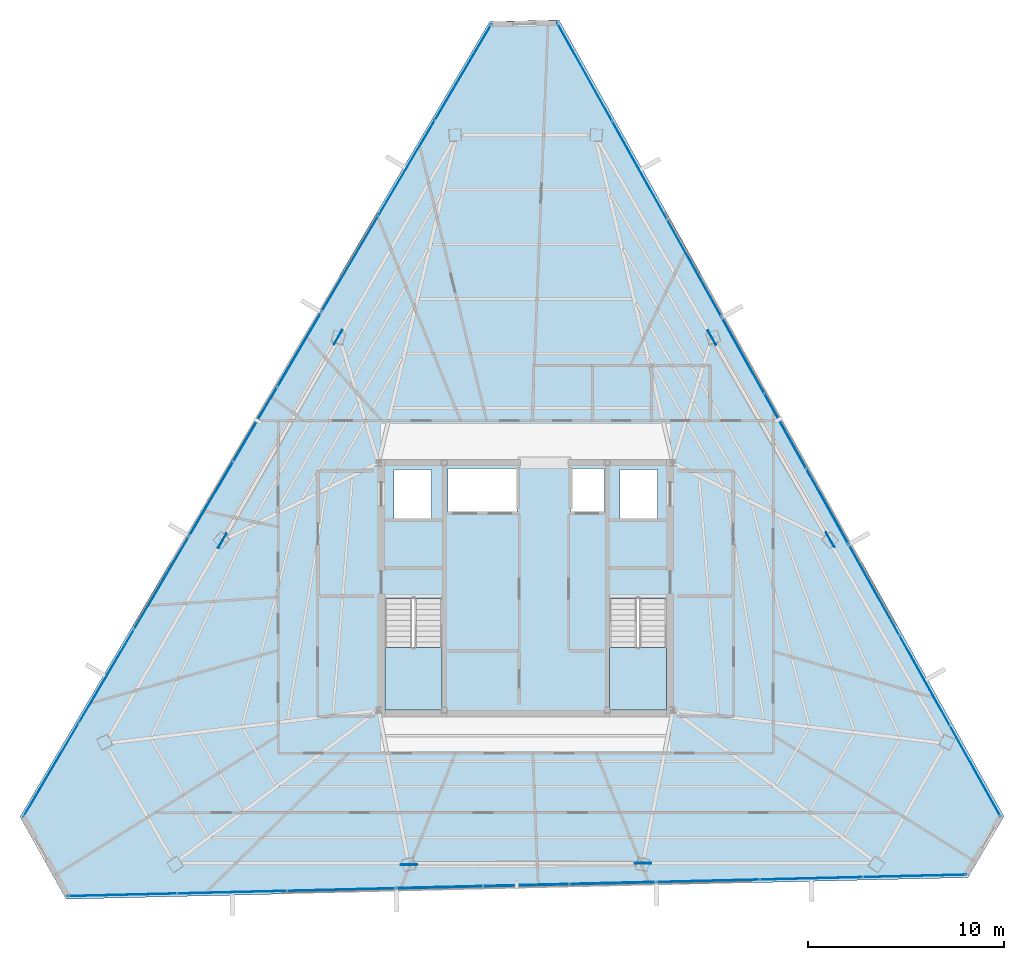
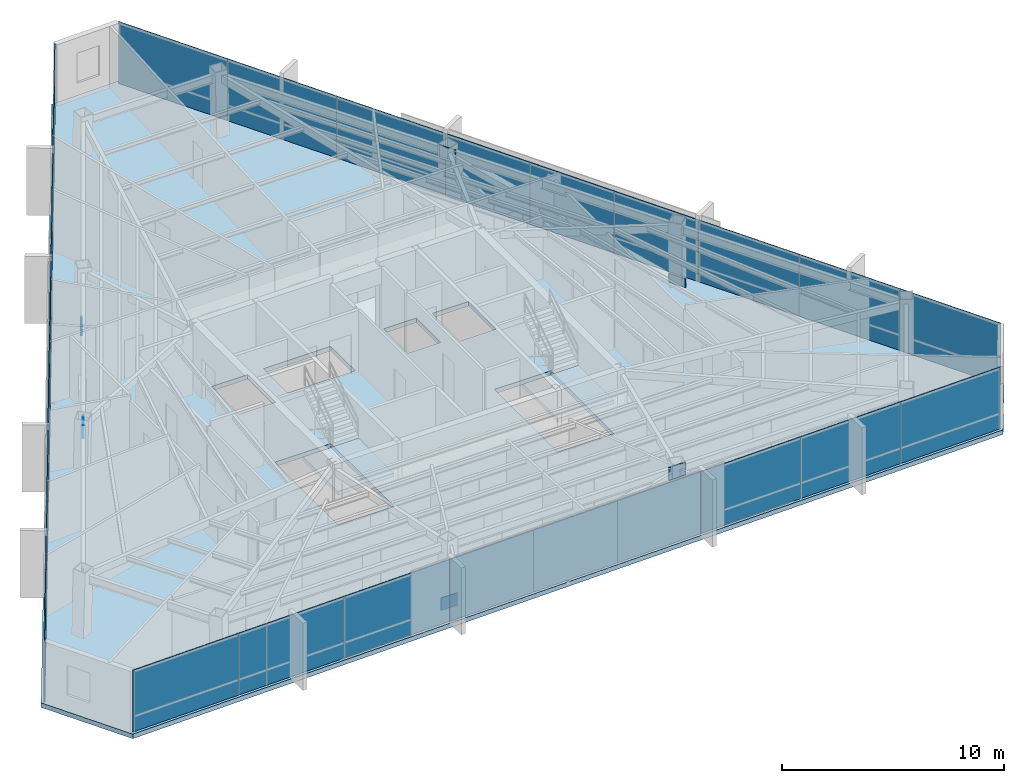
# One storey, part 38 of 45: 33 plates, 3 slabs, 11 elements without a shape of their own.
"""IFC4 building model written with IfcOpenShell, lengths in metres."""

from ifc_helpers import new_model, si_unit, direction, frame, origin, origin_2d, place, context, subcontext, project, spatial, polyline, rectangle, outline, extrude, source, transform, mapped, material, layer, layer_set, type_object, type_shapes, element, aggregate, save


model = new_model("IFC4")

# Units and contexts
model_context = context("Model", 3, precision=1e-05, world=origin(), true_north=direction((0.0, 1.0)))
body_context = subcontext(model_context, "Body", "Model", "MODEL_VIEW")
ifc_project = project(units=[si_unit("LENGTHUNIT", "METRE"), si_unit("AREAUNIT", "SQUARE_METRE"), si_unit("VOLUMEUNIT", "CUBIC_METRE"), si_unit("PLANEANGLEUNIT", "RADIAN"), si_unit("MASSUNIT", "GRAM", prefix="KILO")], contexts=[model_context])

# Site, building, storey
site_placement = place(None, origin())
site = spatial("IfcSite", under=ifc_project, at=site_placement, CompositionType="ELEMENT")
building_placement = place(site_placement, origin())
building = spatial("IfcBuilding", under=site, at=building_placement, Name="Caelisora Broadcast Tower", CompositionType="ELEMENT")
storey_placement = place(building_placement, frame((0.0, 0.0, 266.35009765625)))
storey = spatial("IfcBuildingStorey", under=building, at=storey_placement, Name="L70", CompositionType="ELEMENT", Elevation=266.35009765625)

# Slab
ifc_material_1 = material(Name="Concrete 40 MPa (AS 3600 N40)", Category="concrete")
ifc_layer_1 = layer(ifc_material_1, 0.25, Name="Concrete 40 MPa (AS 3600 N40)")
ifc_layer_set_1 = layer_set([ifc_layer_1], Name="Concrete 40 MPa (AS 3600 N40)")
slab_type_1 = type_object("IfcSlabType", Name="SL04", PredefinedType="FLOOR", material=ifc_layer_set_1)
slab_1_placement = place(storey_placement, frame((0.0, 0.0, -0.25)))
element("IfcSlab", 1, at=slab_1_placement, inside=storey, type_object=slab_type_1, Name="L70 suspended floor SL04", PredefinedType="FLOOR", context=body_context, shape_type="SweptSolid", body=[
    extrude(outline(polyline([(39.693115234375, 52.552978515625), (36.159912109375, 52.468994140625), (12.241943359375, 11.970947265625), (14.5869140625, 7.77490234375), (60.52001953125, 8.873046875), (62.360107421875, 11.989013671875), (39.693115234375, 52.552978515625)]), holes=[polyline([(30.820068359375, 17.39990234375), (33.739990234375, 17.39990234375), (33.739990234375, 23.080078125), (30.820068359375, 23.080078125), (30.820068359375, 17.39990234375)]), polyline([(42.260009765625, 17.39990234375), (45.179931640625, 17.39990234375), (45.179931640625, 23.080078125), (42.260009765625, 23.080078125), (42.260009765625, 17.39990234375)]), polyline([(42.800048828125, 27.14990234375), (44.699951171875, 27.14990234375), (44.699951171875, 29.64990234375), (42.800048828125, 29.64990234375), (42.800048828125, 27.14990234375)]), polyline([(40.300048828125, 27.5), (42.0, 27.5), (42.0, 29.699951171875), (40.300048828125, 29.699951171875), (40.300048828125, 27.5)]), polyline([(34.050048828125, 27.5), (37.550048828125, 27.5), (37.550048828125, 29.699951171875), (34.050048828125, 29.699951171875), (34.050048828125, 27.5)]), polyline([(31.300048828125, 27.14990234375), (33.199951171875, 27.14990234375), (33.199951171875, 29.64990234375), (31.300048828125, 29.64990234375), (31.300048828125, 27.14990234375)])]), origin(), (0.0, 0.0, 1.0), 0.25),
])

# Stair, slab
stair_type_1 = type_object("IfcStairType", Name="ST-1", PredefinedType="HALF_TURN_STAIR", material=ifc_material_1)
stair_1_placement = place(storey_placement, origin())
stair_1 = element("IfcStair", 2, at=stair_1_placement, inside=storey, type_object=stair_type_1, Name="L70 West Fire-Isolated Tower Stair", PredefinedType="HALF_TURN_STAIR")
ifc_layer_2 = layer(ifc_material_1, 0.199951171875, Name="Concrete 40 MPa (AS 3600 N40)")
ifc_layer_set_2 = layer_set([ifc_layer_2], Name="Concrete 40 MPa (AS 3600 N40)")
slab_type_2 = type_object("IfcSlabType", Name="STL-1", PredefinedType="LANDING", material=ifc_layer_set_2)
slab_2_placement = place(storey_placement, frame((0.0, 0.0, 1.625)))
slab_2 = element("IfcSlab", 3, at=slab_2_placement, type_object=slab_type_2, Name="ST-1 landing 1", PredefinedType="LANDING", context=body_context, shape_type="SweptSolid", body=[
    extrude(outline(polyline([(30.820068359375, 20.580078125), (30.820068359375, 17.39990234375), (33.739990234375, 17.39990234375), (33.739990234375, 20.580078125), (30.820068359375, 20.580078125)])), origin(), (0.0, 0.0, 1.0), 0.199951171875),
])
aggregate(stair_1, [slab_2])

stair_type_2 = type_object("IfcStairType", Name="ST-2", PredefinedType="HALF_TURN_STAIR", material=ifc_material_1)
stair_2_placement = place(storey_placement, origin())
stair_2 = element("IfcStair", 4, at=stair_2_placement, inside=storey, type_object=stair_type_2, Name="L70 East Fire-Isolated Tower Stair", PredefinedType="HALF_TURN_STAIR")
slab_3_placement = place(storey_placement, frame((0.0, 0.0, 1.625)))
slab_3 = element("IfcSlab", 5, at=slab_3_placement, type_object=slab_type_2, Name="ST-2 landing 1", PredefinedType="LANDING", context=body_context, shape_type="SweptSolid", body=[
    extrude(outline(polyline([(42.260009765625, 20.580078125), (42.260009765625, 17.39990234375), (45.179931640625, 17.39990234375), (45.179931640625, 20.580078125), (42.260009765625, 20.580078125)])), origin(), (0.0, 0.0, 1.0), 0.199951171875),
])
aggregate(stair_2, [slab_3])

# Plates
ifc_material_2 = material(Name="Steel Grade 350 L15 (AS/NZS 3678)", Category="steel")
ifc_layer_3 = layer(ifc_material_2, 0.0400390625, Name="Steel Grade 350 L15 (AS/NZS 3678)")
ifc_layer_set_3 = layer_set([ifc_layer_3], Name="Steel Grade 350 L15 (AS/NZS 3678)")
plate_type_1 = type_object("IfcPlateType", Name="GP04", PredefinedType="USERDEFINED", material=ifc_layer_set_3)
shared_shape_1 = source(origin(), body_context, "Body", "SweptSolid", [
    extrude(rectangle(XDim=0.85009765625, YDim=0.0400390625, at=origin_2d()), origin(), (0.0, 0.0, 1.0), 0.699951171875),
])
type_shapes(plate_type_1, [shared_shape_1])
for number, where, z_axis, x_axis, name in (
    (6, (28.4423828125, 36.3876953125, -0.22998046875), (0.0, 0.0, 1.0), (-0.5, -0.866025403784, 0.0), "L70 gusset plate GP04 (ND-L70-C02B)"),
    (7, (22.547607421875, 26.032958984375, 2.72998046875), (0.0, 0.0, 1.0), (-0.5, -0.866025403784, 0.0), "L70 gusset plate GP04 (ND-L70-C03T)"),
    (8, (32.05078125, 9.529052734375, -0.22998046875), (0.0, 0.0, 1.0), (1.0, 0.0, 0.0), "L70 gusset plate GP04 (ND-L70-C06B)"),
    (9, (43.9658203125, 9.601318359375, 2.72998046875), (0.0, 0.0, 1.0), (1.0, 0.0, 0.0), "L70 gusset plate GP04 (ND-L70-C07T)"),
    (10, (53.5068359375, 26.083251953125, -0.22998046875), (0.0, 0.0, 1.0), (-0.5, 0.866025403784, 0.0), "L70 gusset plate GP04 (ND-L70-C10B)"),
    (11, (47.48681640625, 36.36572265625, 2.72998046875), (0.0, 0.0, 1.0), (-0.5, 0.866025403784, 0.0), "L70 gusset plate GP04 (ND-L70-C11T)"),
):
    element("IfcPlate", number, at=place(storey_placement, frame(where, z_axis=z_axis, x_axis=x_axis)), inside=storey, type_object=plate_type_1, Name=name, ObjectType="GUSSET PLATE", PredefinedType="USERDEFINED", context=body_context, shape_type="MappedRepresentation", body=[
        mapped(shared_shape_1, transform((0.0, 0.0, 0.0), scale=1.0)),
    ])

# Curtain wall, plates
ifc_material_3 = material(Name="Unitised Aluminium and Low-E Glass Curtain Wall", Category="glass")
curtain_wall_type_1 = type_object("IfcCurtainWallType", Name="CW-Z5", PredefinedType="NOTDEFINED", material=ifc_material_3)
curtain_wall_1_placement = place(storey_placement, origin())
curtain_wall_1 = element("IfcCurtainWall", 12, at=curtain_wall_1_placement, inside=storey, type_object=curtain_wall_type_1, Name="L70 curtain wall CW-Z5", PredefinedType="NOTDEFINED")
ifc_material_4 = material(Name="Double Glazed Low-E Argon IGU", Category="glass")
ifc_layer_4 = layer(ifc_material_4, 0.028076171875, Name="Double Glazed Low-E Argon IGU")
ifc_layer_set_4 = layer_set([ifc_layer_4], Name="Double Glazed Low-E Argon IGU")
plate_type_2 = type_object("IfcPlateType", Name="CWP-06", PredefinedType="CURTAIN_PANEL", material=ifc_layer_set_4)
shared_shape_2 = source(origin(), body_context, "Body", "SweptSolid", [
    extrude(rectangle(XDim=5.725830078125, YDim=0.028076171875, at=origin_2d()), origin(), (0.0, 0.0, 1.0), 3.39990234375),
])
plate_1_placement = place(storey_placement, frame((41.002685546875, 49.90185546875, 0.0), z_axis=(0.0, 0.0, 1.0), x_axis=(0.487859659139, -0.87292207727, 0.0)))
plate_1 = element("IfcPlate", 13, at=plate_1_placement, type_object=plate_type_2, Name="L70-CW-B01 glazed panel #1", PredefinedType="CURTAIN_PANEL", context=body_context, shape_type="MappedRepresentation", body=[
    mapped(shared_shape_2, transform((0.0, 0.0, 0.0), scale=1.0)),
])
plate_2_placement = place(storey_placement, frame((43.795654296875, 44.9033203125, 0.0), z_axis=(0.0, 0.0, 1.0), x_axis=(0.487859659139, -0.87292207727, 0.0)))
plate_2 = element("IfcPlate", 14, at=plate_2_placement, type_object=plate_type_2, Name="L70-CW-B01 glazed panel #2", PredefinedType="CURTAIN_PANEL", context=body_context, shape_type="MappedRepresentation", body=[
    mapped(shared_shape_2, transform((0.0, 0.0, 0.0), scale=1.0)),
])
plate_3_placement = place(storey_placement, frame((46.5888671875, 39.90478515625, 0.0), z_axis=(0.0, 0.0, 1.0), x_axis=(0.487859659139, -0.87292207727, 0.0)))
plate_3 = element("IfcPlate", 15, at=plate_3_placement, type_object=plate_type_2, Name="L70-CW-B01 glazed panel #3", PredefinedType="CURTAIN_PANEL", context=body_context, shape_type="MappedRepresentation", body=[
    mapped(shared_shape_2, transform((0.0, 0.0, 0.0), scale=1.0)),
])
aggregate(curtain_wall_1, [plate_1, plate_2, plate_3])

ifc_material_5 = material(Name="Unitised Aluminium Insulated Shadow-Box Spandrel Curtain Wall", Category="aluminium")
curtain_wall_type_2 = type_object("IfcCurtainWallType", Name="CW-SP3", PredefinedType="NOTDEFINED", material=ifc_material_5)
curtain_wall_2_placement = place(storey_placement, origin())
curtain_wall_2 = element("IfcCurtainWall", 16, at=curtain_wall_2_placement, inside=storey, type_object=curtain_wall_type_2, Name="L70 curtain wall CW-SP3", PredefinedType="NOTDEFINED")
ifc_material_6 = material(Name="Insulated Terracotta Shadow-Box Spandrel Panel", Category="aluminium")
ifc_layer_5 = layer(ifc_material_6, 0.0439453125, Name="Insulated Terracotta Shadow-Box Spandrel Panel")
ifc_layer_set_5 = layer_set([ifc_layer_5], Name="Insulated Terracotta Shadow-Box Spandrel Panel")
plate_type_3 = type_object("IfcPlateType", Name="CWP-10", PredefinedType="CURTAIN_PANEL", material=ifc_layer_set_5)
shared_shape_3 = source(origin(), body_context, "Body", "SweptSolid", [
    extrude(rectangle(XDim=4.41259765625, YDim=0.0439453125, at=origin_2d()), origin(), (0.0, 0.0, 1.0), 3.39990234375),
])
plate_4_placement = place(storey_placement, frame((49.06640625, 35.470947265625, 0.0), z_axis=(0.0, 0.0, 1.0), x_axis=(0.487859659139, -0.87292207727, 0.0)))
plate_4 = element("IfcPlate", 17, at=plate_4_placement, type_object=plate_type_3, Name="L70-CW-B02 spandrel panel #1", PredefinedType="CURTAIN_PANEL", context=body_context, shape_type="MappedRepresentation", body=[
    mapped(shared_shape_3, transform((0.0, 0.0, 0.0), scale=1.0)),
])
plate_5_placement = place(storey_placement, frame((51.21875, 31.619140625, 0.0), z_axis=(0.0, 0.0, 1.0), x_axis=(0.487859659139, -0.87292207727, 0.0)))
plate_5 = element("IfcPlate", 18, at=plate_5_placement, type_object=plate_type_3, Name="L70-CW-B02 spandrel panel #2", PredefinedType="CURTAIN_PANEL", context=body_context, shape_type="MappedRepresentation", body=[
    mapped(shared_shape_3, transform((0.0, 0.0, 0.0), scale=1.0)),
])
plate_6_placement = place(storey_placement, frame((53.37109375, 27.767333984375, 0.0), z_axis=(0.0, 0.0, 1.0), x_axis=(0.487859659139, -0.87292207727, 0.0)))
plate_6 = element("IfcPlate", 19, at=plate_6_placement, type_object=plate_type_3, Name="L70-CW-B02 spandrel panel #3", PredefinedType="CURTAIN_PANEL", context=body_context, shape_type="MappedRepresentation", body=[
    mapped(shared_shape_3, transform((0.0, 0.0, 0.0), scale=1.0)),
])
aggregate(curtain_wall_2, [plate_4, plate_5, plate_6])

curtain_wall_3_placement = place(storey_placement, origin())
curtain_wall_3 = element("IfcCurtainWall", 20, at=curtain_wall_3_placement, inside=storey, type_object=curtain_wall_type_2, Name="L70 curtain wall CW-SP3", PredefinedType="NOTDEFINED")
plate_7_placement = place(storey_placement, frame((21.982666015625, 28.1689453125, 0.0), z_axis=(0.0, 0.0, 1.0), x_axis=(0.508590662521, 0.861008442465, 0.0)))
plate_7 = element("IfcPlate", 21, at=plate_7_placement, type_object=plate_type_3, Name="L70-CW-B10 spandrel panel #1", PredefinedType="CURTAIN_PANEL", context=body_context, shape_type="MappedRepresentation", body=[
    mapped(shared_shape_3, transform((0.0, 0.0, 0.0), scale=1.0)),
])
plate_8_placement = place(storey_placement, frame((24.226806640625, 31.968505859375, 0.0), z_axis=(0.0, 0.0, 1.0), x_axis=(0.508590662521, 0.861008442465, 0.0)))
plate_8 = element("IfcPlate", 22, at=plate_8_placement, type_object=plate_type_3, Name="L70-CW-B10 spandrel panel #2", PredefinedType="CURTAIN_PANEL", context=body_context, shape_type="MappedRepresentation", body=[
    mapped(shared_shape_3, transform((0.0, 0.0, 0.0), scale=1.0)),
])
plate_9_placement = place(storey_placement, frame((26.470703125, 35.767822265625, 0.0), z_axis=(0.0, 0.0, 1.0), x_axis=(0.508590662521, 0.861008442465, 0.0)))
plate_9 = element("IfcPlate", 23, at=plate_9_placement, type_object=plate_type_3, Name="L70-CW-B10 spandrel panel #3", PredefinedType="CURTAIN_PANEL", context=body_context, shape_type="MappedRepresentation", body=[
    mapped(shared_shape_3, transform((0.0, 0.0, 0.0), scale=1.0)),
])
aggregate(curtain_wall_3, [plate_7, plate_8, plate_9])

curtain_wall_4_placement = place(storey_placement, origin())
curtain_wall_4 = element("IfcCurtainWall", 24, at=curtain_wall_4_placement, inside=storey, type_object=curtain_wall_type_1, Name="L70 curtain wall CW-Z5", PredefinedType="NOTDEFINED")
shared_shape_4 = source(origin(), body_context, "Body", "SweptSolid", [
    extrude(rectangle(XDim=5.285400390625, YDim=0.028076171875, at=origin_2d()), origin(), (0.0, 0.0, 1.0), 3.39990234375),
])
plate_10_placement = place(storey_placement, frame((55.741455078125, 23.525634765625, 0.0), z_axis=(0.0, 0.0, 1.0), x_axis=(0.487859659139, -0.87292207727, 0.0)))
plate_10 = element("IfcPlate", 25, at=plate_10_placement, type_object=plate_type_2, Name="L70-CW-B03 glazed panel #1", PredefinedType="CURTAIN_PANEL", context=body_context, shape_type="MappedRepresentation", body=[
    mapped(shared_shape_4, transform((0.0, 0.0, 0.0), scale=1.0)),
])
plate_11_placement = place(storey_placement, frame((58.319580078125, 18.911865234375, 0.0), z_axis=(0.0, 0.0, 1.0), x_axis=(0.487859659139, -0.87292207727, 0.0)))
plate_11 = element("IfcPlate", 26, at=plate_11_placement, type_object=plate_type_2, Name="L70-CW-B03 glazed panel #2", PredefinedType="CURTAIN_PANEL", context=body_context, shape_type="MappedRepresentation", body=[
    mapped(shared_shape_4, transform((0.0, 0.0, 0.0), scale=1.0)),
])
plate_12_placement = place(storey_placement, frame((60.89794921875, 14.2978515625, 0.0), z_axis=(0.0, 0.0, 1.0), x_axis=(0.487859659139, -0.87292207727, 0.0)))
plate_12 = element("IfcPlate", 27, at=plate_12_placement, type_object=plate_type_2, Name="L70-CW-B03 glazed panel #3", PredefinedType="CURTAIN_PANEL", context=body_context, shape_type="MappedRepresentation", body=[
    mapped(shared_shape_4, transform((0.0, 0.0, 0.0), scale=1.0)),
])
aggregate(curtain_wall_4, [plate_10, plate_11, plate_12])

curtain_wall_5_placement = place(storey_placement, origin())
curtain_wall_5 = element("IfcCurtainWall", 28, at=curtain_wall_5_placement, inside=storey, type_object=curtain_wall_type_1, Name="L70 curtain wall CW-Z5", PredefinedType="NOTDEFINED")
shared_shape_5 = source(origin(), body_context, "Body", "SweptSolid", [
    extrude(rectangle(XDim=5.26220703125, YDim=0.028076171875, at=origin_2d()), origin(), (0.0, 0.0, 1.0), 3.39990234375),
])
plate_13_placement = place(storey_placement, frame((57.802490234375, 8.9580078125, 0.0), z_axis=(0.0, 0.0, 1.0), x_axis=(-0.999714145402, -0.023908732351, 0.0)))
plate_13 = element("IfcPlate", 29, at=plate_13_placement, type_object=plate_type_2, Name="L70-CW-B05 glazed panel #1", PredefinedType="CURTAIN_PANEL", context=body_context, shape_type="MappedRepresentation", body=[
    mapped(shared_shape_5, transform((0.0, 0.0, 0.0), scale=1.0)),
])
plate_14_placement = place(storey_placement, frame((52.541748046875, 8.832275390625, 0.0), z_axis=(0.0, 0.0, 1.0), x_axis=(-0.999714145402, -0.023908732351, 0.0)))
plate_14 = element("IfcPlate", 30, at=plate_14_placement, type_object=plate_type_2, Name="L70-CW-B05 glazed panel #2", PredefinedType="CURTAIN_PANEL", context=body_context, shape_type="MappedRepresentation", body=[
    mapped(shared_shape_5, transform((0.0, 0.0, 0.0), scale=1.0)),
])
plate_15_placement = place(storey_placement, frame((47.281005859375, 8.70654296875, 0.0), z_axis=(0.0, 0.0, 1.0), x_axis=(-0.999714145402, -0.023908732351, 0.0)))
plate_15 = element("IfcPlate", 31, at=plate_15_placement, type_object=plate_type_2, Name="L70-CW-B05 glazed panel #3", PredefinedType="CURTAIN_PANEL", context=body_context, shape_type="MappedRepresentation", body=[
    mapped(shared_shape_5, transform((0.0, 0.0, 0.0), scale=1.0)),
])
aggregate(curtain_wall_5, [plate_13, plate_14, plate_15])

curtain_wall_6_placement = place(storey_placement, origin())
curtain_wall_6 = element("IfcCurtainWall", 32, at=curtain_wall_6_placement, inside=storey, type_object=curtain_wall_type_2, Name="L70 curtain wall CW-SP3", PredefinedType="NOTDEFINED")
shared_shape_6 = source(origin(), body_context, "Body", "SweptSolid", [
    extrude(rectangle(XDim=4.41162109375, YDim=0.0439453125, at=origin_2d()), origin(), (0.0, 0.0, 1.0), 3.39990234375),
])
type_shapes(plate_type_3, [shared_shape_3, shared_shape_6])
plate_16_placement = place(storey_placement, frame((42.435302734375, 8.5908203125, 0.0), z_axis=(0.0, 0.0, 1.0), x_axis=(-0.999714145402, -0.023908732351, 0.0)))
plate_16 = element("IfcPlate", 33, at=plate_16_placement, type_object=plate_type_3, Name="L70-CW-B06 spandrel panel #1", PredefinedType="CURTAIN_PANEL", context=body_context, shape_type="MappedRepresentation", body=[
    mapped(shared_shape_6, transform((0.0, 0.0, 0.0), scale=1.0)),
])
plate_17_placement = place(storey_placement, frame((38.02490234375, 8.4853515625, 0.0), z_axis=(0.0, 0.0, 1.0), x_axis=(-0.999714145402, -0.023908732351, 0.0)))
plate_17 = element("IfcPlate", 34, at=plate_17_placement, type_object=plate_type_3, Name="L70-CW-B06 spandrel panel #2", PredefinedType="CURTAIN_PANEL", context=body_context, shape_type="MappedRepresentation", body=[
    mapped(shared_shape_6, transform((0.0, 0.0, 0.0), scale=1.0)),
])
plate_18_placement = place(storey_placement, frame((33.614501953125, 8.3798828125, 0.0), z_axis=(0.0, 0.0, 1.0), x_axis=(-0.999714145402, -0.023908732351, 0.0)))
plate_18 = element("IfcPlate", 35, at=plate_18_placement, type_object=plate_type_3, Name="L70-CW-B06 spandrel panel #3", PredefinedType="CURTAIN_PANEL", context=body_context, shape_type="MappedRepresentation", body=[
    mapped(shared_shape_6, transform((0.0, 0.0, 0.0), scale=1.0)),
])
aggregate(curtain_wall_6, [plate_16, plate_17, plate_18])

curtain_wall_7_placement = place(storey_placement, origin())
curtain_wall_7 = element("IfcCurtainWall", 36, at=curtain_wall_7_placement, inside=storey, type_object=curtain_wall_type_1, Name="L70 curtain wall CW-Z5", PredefinedType="NOTDEFINED")
shared_shape_7 = source(origin(), body_context, "Body", "SweptSolid", [
    extrude(rectangle(XDim=5.57666015625, YDim=0.028076171875, at=origin_2d()), origin(), (0.0, 0.0, 1.0), 3.39990234375),
])
plate_19_placement = place(storey_placement, frame((28.61181640625, 8.26025390625, 0.0), z_axis=(0.0, 0.0, 1.0), x_axis=(-0.999714145402, -0.023908732351, 0.0)))
plate_19 = element("IfcPlate", 37, at=plate_19_placement, type_object=plate_type_2, Name="L70-CW-B07 glazed panel #1", PredefinedType="CURTAIN_PANEL", context=body_context, shape_type="MappedRepresentation", body=[
    mapped(shared_shape_7, transform((0.0, 0.0, 0.0), scale=1.0)),
])
plate_20_placement = place(storey_placement, frame((23.03662109375, 8.126953125, 0.0), z_axis=(0.0, 0.0, 1.0), x_axis=(-0.999714145402, -0.023908732351, 0.0)))
plate_20 = element("IfcPlate", 38, at=plate_20_placement, type_object=plate_type_2, Name="L70-CW-B07 glazed panel #2", PredefinedType="CURTAIN_PANEL", context=body_context, shape_type="MappedRepresentation", body=[
    mapped(shared_shape_7, transform((0.0, 0.0, 0.0), scale=1.0)),
])
plate_21_placement = place(storey_placement, frame((17.46142578125, 7.99365234375, 0.0), z_axis=(0.0, 0.0, 1.0), x_axis=(-0.999714145402, -0.023908732351, 0.0)))
plate_21 = element("IfcPlate", 39, at=plate_21_placement, type_object=plate_type_2, Name="L70-CW-B07 glazed panel #3", PredefinedType="CURTAIN_PANEL", context=body_context, shape_type="MappedRepresentation", body=[
    mapped(shared_shape_7, transform((0.0, 0.0, 0.0), scale=1.0)),
])
aggregate(curtain_wall_7, [plate_19, plate_20, plate_21])

curtain_wall_8_placement = place(storey_placement, origin())
curtain_wall_8 = element("IfcCurtainWall", 40, at=curtain_wall_8_placement, inside=storey, type_object=curtain_wall_type_1, Name="L70 curtain wall CW-Z5", PredefinedType="NOTDEFINED")
shared_shape_8 = source(origin(), body_context, "Body", "SweptSolid", [
    extrude(rectangle(XDim=5.53271484375, YDim=0.028076171875, at=origin_2d()), origin(), (0.0, 0.0, 1.0), 3.39990234375),
])
plate_22_placement = place(storey_placement, frame((13.82177734375, 14.350830078125, 0.0), z_axis=(0.0, 0.0, 1.0), x_axis=(0.508590662521, 0.861008442465, 0.0)))
plate_22 = element("IfcPlate", 41, at=plate_22_placement, type_object=plate_type_2, Name="L70-CW-B09 glazed panel #1", PredefinedType="CURTAIN_PANEL", context=body_context, shape_type="MappedRepresentation", body=[
    mapped(shared_shape_8, transform((0.0, 0.0, 0.0), scale=1.0)),
])
plate_23_placement = place(storey_placement, frame((16.63525390625, 19.11474609375, 0.0), z_axis=(0.0, 0.0, 1.0), x_axis=(0.508590662521, 0.861008442465, 0.0)))
plate_23 = element("IfcPlate", 42, at=plate_23_placement, type_object=plate_type_2, Name="L70-CW-B09 glazed panel #2", PredefinedType="CURTAIN_PANEL", context=body_context, shape_type="MappedRepresentation", body=[
    mapped(shared_shape_8, transform((0.0, 0.0, 0.0), scale=1.0)),
])
plate_24_placement = place(storey_placement, frame((19.448974609375, 23.878662109375, 0.0), z_axis=(0.0, 0.0, 1.0), x_axis=(0.508590662521, 0.861008442465, 0.0)))
plate_24 = element("IfcPlate", 43, at=plate_24_placement, type_object=plate_type_2, Name="L70-CW-B09 glazed panel #3", PredefinedType="CURTAIN_PANEL", context=body_context, shape_type="MappedRepresentation", body=[
    mapped(shared_shape_8, transform((0.0, 0.0, 0.0), scale=1.0)),
])
aggregate(curtain_wall_8, [plate_22, plate_23, plate_24])

curtain_wall_9_placement = place(storey_placement, origin())
curtain_wall_9 = element("IfcCurtainWall", 44, at=curtain_wall_9_placement, inside=storey, type_object=curtain_wall_type_1, Name="L70 curtain wall CW-Z5", PredefinedType="NOTDEFINED")
shared_shape_9 = source(origin(), body_context, "Body", "SweptSolid", [
    extrude(rectangle(XDim=5.66943359375, YDim=0.028076171875, at=origin_2d()), origin(), (0.0, 0.0, 1.0), 3.39990234375),
])
type_shapes(plate_type_2, [shared_shape_2, shared_shape_4, shared_shape_5, shared_shape_7, shared_shape_8, shared_shape_9])
plate_25_placement = place(storey_placement, frame((29.039306640625, 40.1171875, 0.0), z_axis=(0.0, 0.0, 1.0), x_axis=(0.508590662521, 0.861008442465, 0.0)))
plate_25 = element("IfcPlate", 45, at=plate_25_placement, type_object=plate_type_2, Name="L70-CW-B11 glazed panel #1", PredefinedType="CURTAIN_PANEL", context=body_context, shape_type="MappedRepresentation", body=[
    mapped(shared_shape_9, transform((0.0, 0.0, 0.0), scale=1.0)),
])
plate_26_placement = place(storey_placement, frame((31.92236328125, 44.99853515625, 0.0), z_axis=(0.0, 0.0, 1.0), x_axis=(0.508590662521, 0.861008442465, 0.0)))
plate_26 = element("IfcPlate", 46, at=plate_26_placement, type_object=plate_type_2, Name="L70-CW-B11 glazed panel #2", PredefinedType="CURTAIN_PANEL", context=body_context, shape_type="MappedRepresentation", body=[
    mapped(shared_shape_9, transform((0.0, 0.0, 0.0), scale=1.0)),
])
plate_27_placement = place(storey_placement, frame((34.805419921875, 49.880126953125, 0.0), z_axis=(0.0, 0.0, 1.0), x_axis=(0.508590662521, 0.861008442465, 0.0)))
plate_27 = element("IfcPlate", 47, at=plate_27_placement, type_object=plate_type_2, Name="L70-CW-B11 glazed panel #3", PredefinedType="CURTAIN_PANEL", context=body_context, shape_type="MappedRepresentation", body=[
    mapped(shared_shape_9, transform((0.0, 0.0, 0.0), scale=1.0)),
])
aggregate(curtain_wall_9, [plate_25, plate_26, plate_27])

save(model, "model.ifc")
